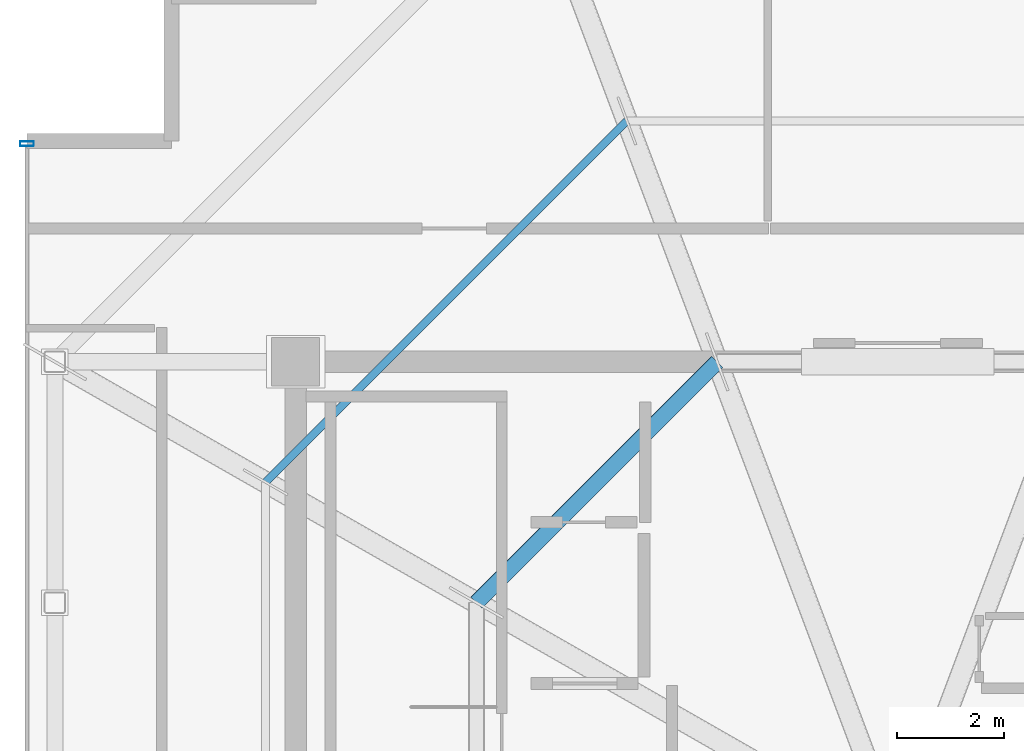
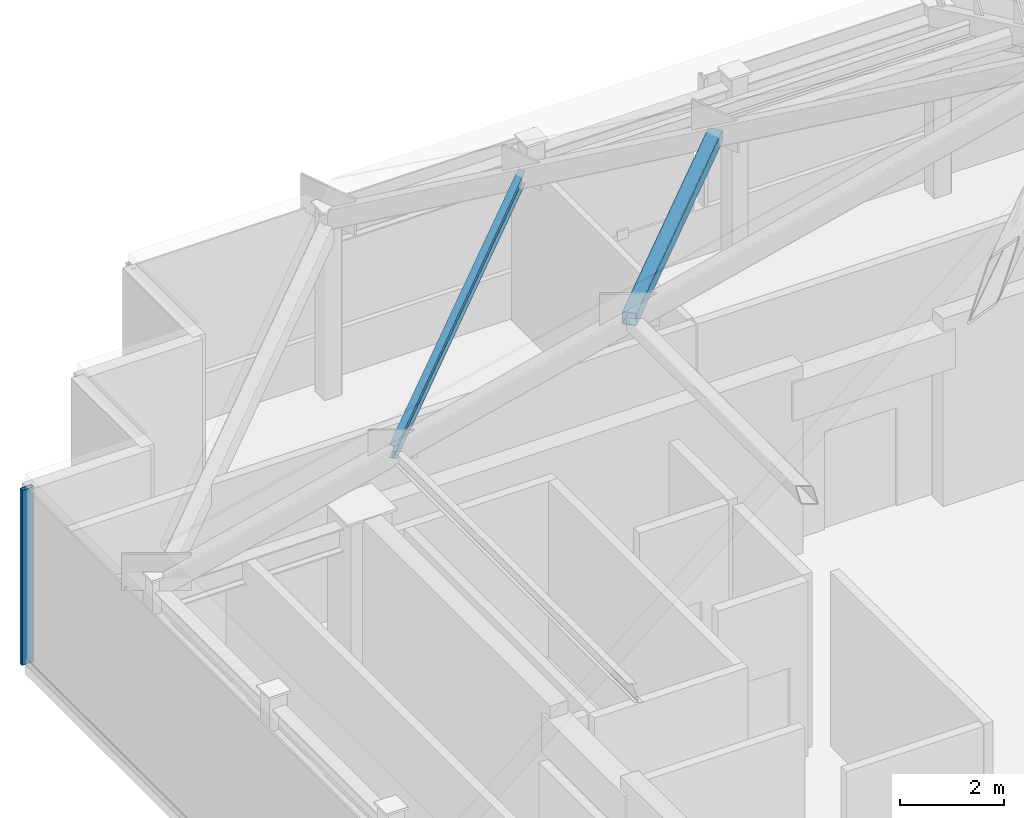
# One storey, part 6 of 17: 3 members, 1 element without a shape of its own.
"""IFC4 building model written with IfcOpenShell, lengths in metres."""

from ifc_helpers import new_model, si_unit, direction, frame, origin, origin_2d, place, context, subcontext, project, spatial, hollow_rectangle, i_section, extrude, source, transform, mapped, material, layer, layer_set, material_profile, profile_set, type_object, element, aggregate, save


model = new_model("IFC4")

# Units and contexts
model_context = context("Model", 3, precision=1e-05, world=origin(), true_north=direction((0.0, 1.0)))
body_context = subcontext(model_context, "Body", "Model", "MODEL_VIEW")
ifc_project = project(units=[si_unit("LENGTHUNIT", "METRE"), si_unit("AREAUNIT", "SQUARE_METRE"), si_unit("VOLUMEUNIT", "CUBIC_METRE"), si_unit("PLANEANGLEUNIT", "RADIAN"), si_unit("MASSUNIT", "GRAM", prefix="KILO")], contexts=[model_context])

# Site, building, storey
site_placement = place(None, origin())
site = spatial("IfcSite", under=ifc_project, at=site_placement, CompositionType="ELEMENT")
building_placement = place(site_placement, origin())
building = spatial("IfcBuilding", under=site, at=building_placement, Name="Nefas-Gora Pilgrimage Tower", CompositionType="ELEMENT")
storey_placement = place(building_placement, frame((0.0, 0.0, 367.39990234375)))
storey = spatial("IfcBuildingStorey", under=building, at=storey_placement, Name="L92", CompositionType="ELEMENT", Elevation=367.39990234375)

# Members
ifc_material_1 = material(Name="Steel S460", Category="steel")
ifc_material_profile_1 = material_profile(ifc_material_1, hollow_rectangle(XDim=0.300048828125, YDim=0.300048828125, WallThickness=0.01611328125, InnerFilletRadius=0.01611328125, OuterFilletRadius=0.031982421875, at=origin_2d()), Name="SHS 300x300x16")
ifc_profile_set_1 = profile_set([ifc_material_profile_1], Name="Steel S460")
member_type_1 = type_object("IfcMemberType", Name="MEM-CROWN-RING", PredefinedType="STRUT", material=ifc_profile_set_1)
shared_shape_1 = source(origin(), body_context, "Body", "SweptSolid", [
    extrude(hollow_rectangle(XDim=0.300048828125, YDim=0.300048828125, WallThickness=0.01611328125, InnerFilletRadius=0.01611328125, OuterFilletRadius=0.031982421875, at=origin_2d()), origin(), (0.0, 0.0, 1.0), 6.364013671875),
])
member_1_placement = place(storey_placement, frame((-3.375, 9.0, 10.31005859375), z_axis=(-0.707106781187, -0.707106781187, 0.0), x_axis=(0.707106781187, -0.707106781187, 0.0)))
element("IfcMember", 1, at=member_1_placement, inside=storey, type_object=member_type_1, Name="CROWN FRAME Mid-Height Compression Strut 4", PredefinedType="STRUT", context=body_context, shape_type="MappedRepresentation", body=[
    mapped(shared_shape_1, transform((0.0, 0.0, 0.0), x_axis=(1.0, 0.0, 0.0), y_axis=(0.0, 1.0, 0.0), z_axis=(0.0, 0.0, 1.0), scale=1.0)),
])
ifc_material_2 = material(Name="Steel S355", Category="steel")
ifc_material_profile_2 = material_profile(ifc_material_2, i_section(OverallWidth=0.14990234375, OverallDepth=0.300048828125, WebThickness=0.007080078125, FlangeThickness=0.0107421875, FilletRadius=0.014892578125, at=origin_2d()), Name="IPE 300")
ifc_profile_set_2 = profile_set([ifc_material_profile_2], Name="Steel S355")
member_type_2 = type_object("IfcMemberType", Name="MEM-CROWN-PURLIN", PredefinedType="PURLIN", material=ifc_profile_set_2)
shared_shape_2 = source(origin(), body_context, "Body", "SweptSolid", [
    extrude(i_section(OverallWidth=0.14990234375, OverallDepth=0.300048828125, WebThickness=0.007080078125, FlangeThickness=0.0107421875, FilletRadius=0.014892578125, at=origin_2d()), origin(), (0.0, 0.0, 1.0), 9.5458984375),
])
member_2_placement = place(storey_placement, frame((-5.0625, 13.5, 7.205078125), z_axis=(-0.707106781187, -0.707106781187, 0.0), x_axis=(0.707106781187, -0.707106781187, 0.0)))
element("IfcMember", 2, at=member_2_placement, inside=storey, type_object=member_type_2, Name="CROWN FRAME Facet Purlin 4", PredefinedType="PURLIN", context=body_context, shape_type="MappedRepresentation", body=[
    mapped(shared_shape_2, transform((0.0, 0.0, 0.0), x_axis=(1.0, 0.0, 0.0), y_axis=(0.0, 1.0, 0.0), z_axis=(0.0, 0.0, 1.0), scale=1.0)),
])

# Curtain wall, member
ifc_material_3 = material(Name="Dark ceramic-fritted solar-control aluminium-glass curtain wall", Category="aluminium")
ifc_layer = layer(ifc_material_3, 0.219970703125)
ifc_layer_set = layer_set([ifc_layer], Name="Dark ceramic-fritted solar-control aluminium-glass curtain wall")
curtain_wall_type = type_object("IfcCurtainWallType", Name="CW-SYS-6", PredefinedType="NOTDEFINED", material=ifc_layer_set)
curtain_wall_placement = place(storey_placement, origin())
curtain_wall = element("IfcCurtainWall", 3, at=curtain_wall_placement, inside=storey, type_object=curtain_wall_type, Name="L92 Unitised Curtain Wall CW6", PredefinedType="NOTDEFINED")
ifc_material_4 = material(Name="Anodised architectural aluminium", Category="aluminium")
ifc_material_profile_3 = material_profile(ifc_material_4, hollow_rectangle(XDim=0.090087890625, YDim=0.260009765625, WallThickness=0.006103515625, InnerFilletRadius=0.006103515625, OuterFilletRadius=0.011962890625, at=origin_2d()), Name="ALU MULLION 90x260")
ifc_profile_set_3 = profile_set([ifc_material_profile_3], Name="Anodised architectural aluminium")
member_type_3 = type_object("IfcMemberType", Name="CWM-MUL-6", PredefinedType="MULLION", material=ifc_profile_set_3)
shared_shape_3 = source(origin(), body_context, "Body", "SweptSolid", [
    extrude(hollow_rectangle(XDim=0.090087890625, YDim=0.260009765625, WallThickness=0.006103515625, InnerFilletRadius=0.006103515625, OuterFilletRadius=0.011962890625, at=origin_2d()), origin(), (0.0, 0.0, 1.0), 4.10009765625),
])
member_3_placement = place(storey_placement, frame((-16.27001953125, 13.074951171875, 0.0), z_axis=(0.0, 0.0, 1.0), x_axis=(0.0, -1.0, 0.0)))
member_3 = element("IfcMember", 4, at=member_3_placement, type_object=member_type_3, Name="CW6 Mullion 1", PredefinedType="MULLION", context=body_context, shape_type="MappedRepresentation", body=[
    mapped(shared_shape_3, transform((0.0, 0.0, 0.0), x_axis=(1.0, 0.0, 0.0), y_axis=(0.0, 1.0, 0.0), z_axis=(0.0, 0.0, 1.0), scale=1.0)),
])
aggregate(curtain_wall, [member_3])

save(model, "model.ifc")
